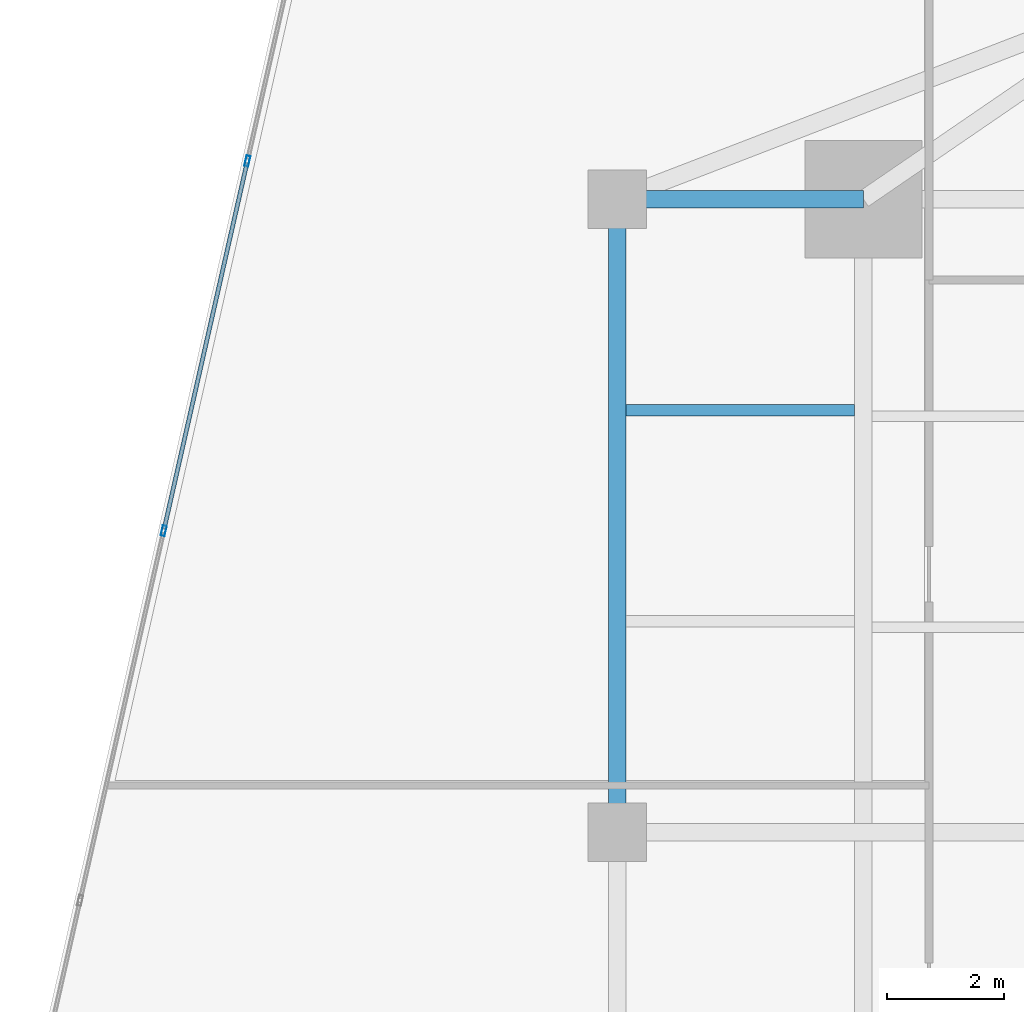
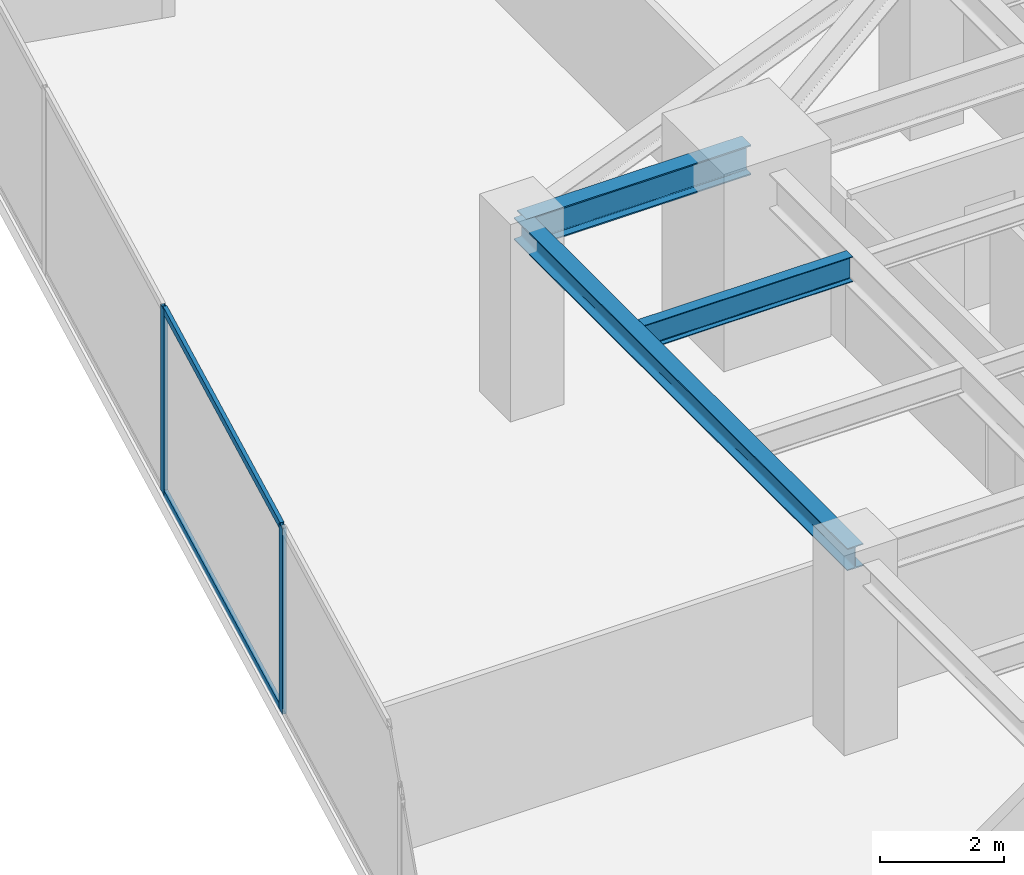
# One storey, part 14 of 27: 4 members, 3 beams, 1 element without a shape of its own.
"""IFC4 building model written with IfcOpenShell, lengths in metres."""

from ifc_helpers import new_model, si_unit, direction, frame, origin, origin_2d, place, context, subcontext, project, spatial, hollow_rectangle, i_section, extrude, source, transform, mapped, material, material_profile, profile_set, type_object, type_shapes, element, aggregate, save


model = new_model("IFC4")

# Units and contexts
model_context = context("Model", 3, precision=1e-05, world=origin(), true_north=direction((0.0, 1.0)))
body_context = subcontext(model_context, "Body", "Model", "MODEL_VIEW")
ifc_project = project(units=[si_unit("LENGTHUNIT", "METRE"), si_unit("AREAUNIT", "SQUARE_METRE"), si_unit("VOLUMEUNIT", "CUBIC_METRE"), si_unit("PLANEANGLEUNIT", "RADIAN"), si_unit("MASSUNIT", "GRAM", prefix="KILO")], contexts=[model_context])

# Site, building, storey
site_placement = place(None, origin())
site = spatial("IfcSite", under=ifc_project, at=site_placement, CompositionType="ELEMENT")
building_placement = place(site_placement, origin())
building = spatial("IfcBuilding", under=site, at=building_placement, Name="Krantzveldt Concourse Tower", CompositionType="ELEMENT")
storey_placement = place(building_placement, frame((0.0, 0.0, 86.10009765625)))
storey = spatial("IfcBuildingStorey", under=building, at=storey_placement, Name="L20", CompositionType="ELEMENT", Elevation=86.10009765625)

# Beams
ifc_material_1 = material(Name="Steel S355JR", Category="steel")
ifc_material_profile_1 = material_profile(ifc_material_1, i_section(OverallWidth=0.300048828125, OverallDepth=0.43994140625, WebThickness=0.011474609375, FlangeThickness=0.02099609375, FilletRadius=0.027099609375, at=origin_2d()), Name="Steel S355JR", Category="steel")
ifc_profile_set_1 = profile_set([ifc_material_profile_1], Name="Steel S355JR - HEA 450")
beam_type_1 = type_object("IfcBeamType", Name="BM-SP-HEA450", PredefinedType="SPANDREL", material=ifc_profile_set_1)
shared_shape_1 = source(origin(), body_context, "Body", "SweptSolid", [
    extrude(i_section(OverallWidth=0.300048828125, OverallDepth=0.43994140625, WebThickness=0.011474609375, FlangeThickness=0.02099609375, FilletRadius=0.027099609375, at=origin_2d()), origin(), (0.0, 0.0, 1.0), 10.800048828125),
])
type_shapes(beam_type_1, [shared_shape_1])
beam_1_placement = place(storey_placement, frame((21.0, 26.699951171875, 3.449951171875), z_axis=(0.0, 1.0, 0.0), x_axis=(-1.0, 0.0, 0.0)))
element("IfcBeam", 1, at=beam_1_placement, inside=storey, type_object=beam_type_1, Name="L20 Tower Girder SP-R02", PredefinedType="SPANDREL", context=body_context, shape_type="MappedRepresentation", body=[
    mapped(shared_shape_1, transform((0.0, 0.0, 0.0), x_axis=(1.0, 0.0, 0.0), y_axis=(0.0, 1.0, 0.0), z_axis=(0.0, 0.0, 1.0), scale=1.0)),
])
ifc_material_profile_2 = material_profile(ifc_material_1, i_section(OverallWidth=0.300048828125, OverallDepth=0.590087890625, WebThickness=0.012939453125, FlangeThickness=0.02490234375, FilletRadius=0.027099609375, at=origin_2d()), Name="Steel S355JR", Category="steel")
ifc_profile_set_2 = profile_set([ifc_material_profile_2], Name="Steel S355JR - HEA 600")
beam_type_2 = type_object("IfcBeamType", Name="BM-B-HEA600", PredefinedType="BEAM", material=ifc_profile_set_2)
shared_shape_2 = source(origin(), body_context, "Body", "SweptSolid", [
    extrude(i_section(OverallWidth=0.300048828125, OverallDepth=0.590087890625, WebThickness=0.012939453125, FlangeThickness=0.02490234375, FilletRadius=0.027099609375, at=origin_2d()), origin(), (0.0, 0.0, 1.0), 4.199951171875),
])
type_shapes(beam_type_2, [shared_shape_2])
beam_2_placement = place(storey_placement, frame((21.0, 37.5, 3.375), z_axis=(1.0, 0.0, 0.0), x_axis=(0.0, 1.0, 0.0)))
element("IfcBeam", 2, at=beam_2_placement, inside=storey, type_object=beam_type_2, Name="L20 Tower Girder BR-RL3", PredefinedType="BEAM", context=body_context, shape_type="MappedRepresentation", body=[
    mapped(shared_shape_2, transform((0.0, 0.0, 0.0), x_axis=(1.0, 0.0, 0.0), y_axis=(0.0, 1.0, 0.0), z_axis=(0.0, 0.0, 1.0), scale=1.0)),
])
ifc_material_profile_3 = material_profile(ifc_material_1, i_section(OverallWidth=0.199951171875, OverallDepth=0.5, WebThickness=0.01025390625, FlangeThickness=0.01611328125, FilletRadius=0.02099609375, at=origin_2d()), Name="Steel S355JR", Category="steel")
ifc_profile_set_3 = profile_set([ifc_material_profile_3], Name="Steel S355JR - IPE 500")
beam_type_3 = type_object("IfcBeamType", Name="BM-J-IPE500", PredefinedType="JOIST", material=ifc_profile_set_3)
shared_shape_3 = source(origin(), body_context, "Body", "SweptSolid", [
    extrude(i_section(OverallWidth=0.199951171875, OverallDepth=0.5, WebThickness=0.01025390625, FlangeThickness=0.01611328125, FilletRadius=0.02099609375, at=origin_2d()), origin(), (0.0, 0.0, 1.0), 3.900146484375),
])
type_shapes(beam_type_3, [shared_shape_3])
beam_3_placement = place(storey_placement, frame((21.14990234375, 33.89990234375, 3.419921875), z_axis=(1.0, 0.0, 0.0), x_axis=(0.0, 1.0, 0.0)))
element("IfcBeam", 3, at=beam_3_placement, inside=storey, type_object=beam_type_3, Name="L20 Secondary Floor Joist JW-4", PredefinedType="JOIST", context=body_context, shape_type="MappedRepresentation", body=[
    mapped(shared_shape_3, transform((0.0, 0.0, 0.0), x_axis=(1.0, 0.0, 0.0), y_axis=(0.0, 1.0, 0.0), z_axis=(0.0, 0.0, 1.0), scale=1.0)),
])

# Curtain wall, members
ifc_material_2 = material(Name="Anodised aluminium 6063-T6", Category="aluminium")
curtain_wall_type = type_object("IfcCurtainWallType", Name="CW2", PredefinedType="USERDEFINED", material=ifc_material_2)
curtain_wall_placement = place(storey_placement, origin())
curtain_wall = element("IfcCurtainWall", 4, at=curtain_wall_placement, inside=storey, type_object=curtain_wall_type, Name="CW-L20-F01", ObjectType="UNITISED CURTAIN WALL", PredefinedType="USERDEFINED")
ifc_material_profile_4 = material_profile(ifc_material_2, hollow_rectangle(XDim=0.070068359375, YDim=0.179931640625, WallThickness=0.0048828125, at=origin_2d()), Name="Anodised aluminium 6063-T6", Category="aluminium")
ifc_profile_set_4 = profile_set([ifc_material_profile_4], Name="Anodised aluminium 6063-T6 - ALU-MULL 180x70x5")
member_type_1 = type_object("IfcMemberType", Name="CW-MUL-180", PredefinedType="MULLION", material=ifc_profile_set_4)
shared_shape_4 = source(origin(), body_context, "Body", "SweptSolid", [
    extrude(hollow_rectangle(XDim=0.070068359375, YDim=0.179931640625, WallThickness=0.0048828125, at=origin_2d()), origin(), (0.0, 0.0, 1.0), 3.669921875),
])
type_shapes(member_type_1, [shared_shape_4])
member_1_placement = place(storey_placement, frame((14.69189453125, 38.151611328125, 0.0), z_axis=(0.0, 0.0, 1.0), x_axis=(0.975342320609, -0.220697434579, 0.0)))
member_1 = element("IfcMember", 5, at=member_1_placement, type_object=member_type_1, Name="CW-Z12 mullion 3", PredefinedType="MULLION", context=body_context, shape_type="MappedRepresentation", body=[
    mapped(shared_shape_4, transform((0.0, 0.0, 0.0), x_axis=(1.0, 0.0, 0.0), y_axis=(0.0, 1.0, 0.0), z_axis=(0.0, 0.0, 1.0), scale=1.0)),
])
member_2_placement = place(storey_placement, frame((13.2646484375, 31.844482421875, 0.0), z_axis=(0.0, 0.0, 1.0), x_axis=(0.975342320609, -0.220697434579, 0.0)))
member_2 = element("IfcMember", 6, at=member_2_placement, type_object=member_type_1, Name="CW-Z12 mullion 4", PredefinedType="MULLION", context=body_context, shape_type="MappedRepresentation", body=[
    mapped(shared_shape_4, transform((0.0, 0.0, 0.0), x_axis=(1.0, 0.0, 0.0), y_axis=(0.0, 1.0, 0.0), z_axis=(0.0, 0.0, 1.0), scale=1.0)),
])
ifc_material_profile_5 = material_profile(ifc_material_2, hollow_rectangle(XDim=0.070068359375, YDim=0.139892578125, WallThickness=0.0048828125, at=origin_2d()), Name="Anodised aluminium 6063-T6", Category="aluminium")
ifc_profile_set_5 = profile_set([ifc_material_profile_5], Name="Anodised aluminium 6063-T6 - ALU-TRAN 140x70x5")
member_type_2 = type_object("IfcMemberType", Name="CW-TRN-150", PredefinedType="USERDEFINED", material=ifc_profile_set_5)
shared_shape_5 = source(origin(), body_context, "Body", "SweptSolid", [
    extrude(hollow_rectangle(XDim=0.070068359375, YDim=0.139892578125, WallThickness=0.0048828125, at=origin_2d()), origin(), (0.0, 0.0, 1.0), 6.396484375),
])
type_shapes(member_type_2, [shared_shape_5])
member_3_placement = place(storey_placement, frame((14.684326171875, 38.117431640625, 0.034912109375), z_axis=(-0.2207235823, -0.975336403615, 0.0), x_axis=(0.975336403615, -0.2207235823, 0.0)))
member_3 = element("IfcMember", 7, at=member_3_placement, type_object=member_type_2, Name="CW-Z12 transom 3.1", ObjectType="TRANSOM", PredefinedType="USERDEFINED", context=body_context, shape_type="MappedRepresentation", body=[
    mapped(shared_shape_5, transform((0.0, 0.0, 0.0), x_axis=(1.0, 0.0, 0.0), y_axis=(0.0, 1.0, 0.0), z_axis=(0.0, 0.0, 1.0), scale=1.0)),
])
member_4_placement = place(storey_placement, frame((14.684326171875, 38.117431640625, 3.635009765625), z_axis=(-0.2207235823, -0.975336403615, 0.0), x_axis=(0.975336403615, -0.2207235823, 0.0)))
member_4 = element("IfcMember", 8, at=member_4_placement, type_object=member_type_2, Name="CW-Z12 transom 3.2", ObjectType="TRANSOM", PredefinedType="USERDEFINED", context=body_context, shape_type="MappedRepresentation", body=[
    mapped(shared_shape_5, transform((0.0, 0.0, 0.0), x_axis=(1.0, 0.0, 0.0), y_axis=(0.0, 1.0, 0.0), z_axis=(0.0, 0.0, 1.0), scale=1.0)),
])
aggregate(curtain_wall, [member_1, member_2, member_3, member_4])

save(model, "model.ifc")
